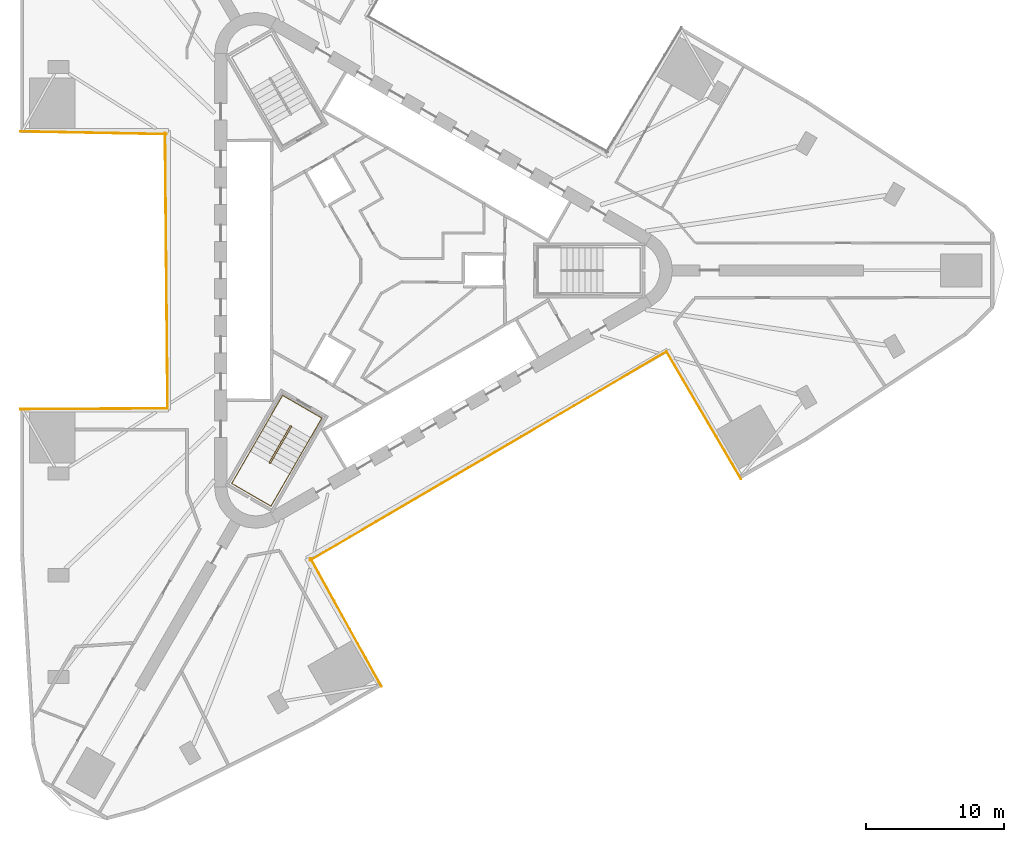
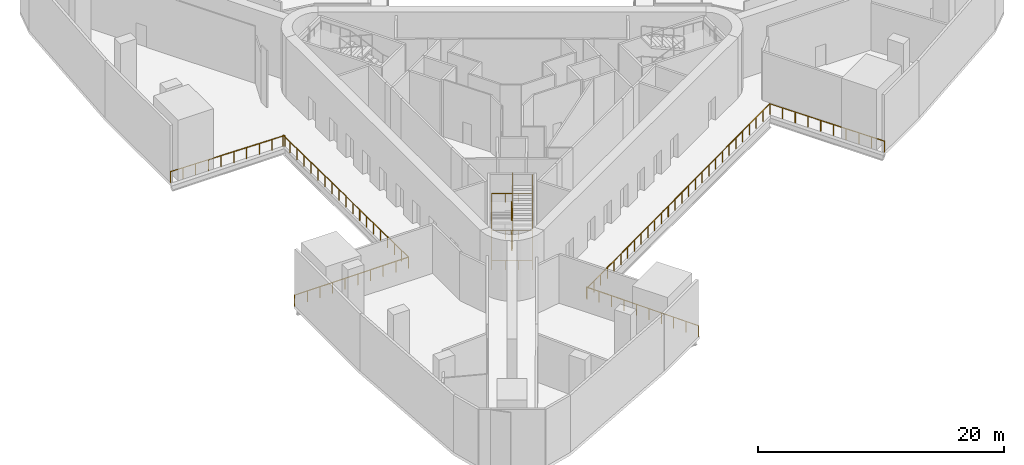
# One storey, part 9 of 11: 11 railings.
"""IFC4 building model written with IfcOpenShell, lengths in metres."""

from ifc_helpers import new_model, si_unit, direction, frame, origin, origin_2d, place, context, subcontext, project, spatial, circle, extrude, material, type_object, element, save


model = new_model("IFC4")

# Units and contexts
model_context = context("Model", 3, precision=1e-05, world=origin(), true_north=direction((0.0, 1.0)))
body_context = subcontext(model_context, "Body", "Model", "MODEL_VIEW")
ifc_project = project(units=[si_unit("LENGTHUNIT", "METRE"), si_unit("AREAUNIT", "SQUARE_METRE"), si_unit("VOLUMEUNIT", "CUBIC_METRE"), si_unit("PLANEANGLEUNIT", "RADIAN"), si_unit("MASSUNIT", "GRAM", prefix="KILO")], contexts=[model_context])

# Site, building, storey
site_placement = place(None, origin())
site = spatial("IfcSite", under=ifc_project, at=site_placement, CompositionType="ELEMENT")
building_placement = place(site_placement, origin())
building = spatial("IfcBuilding", under=site, at=building_placement, Name="Tanit Gate Tower", CompositionType="ELEMENT")
storey_placement = place(building_placement, frame((0.0, 0.0, 33.5)))
storey = spatial("IfcBuildingStorey", under=building, at=storey_placement, Name="L05", CompositionType="ELEMENT", Elevation=33.5)

# Railings
ifc_material_1 = material(Name="Stainless steel", Category="steel")
railing_type_1 = type_object("IfcRailingType", Name="Guard 1100 stainless steel balustrade", PredefinedType="GUARDRAIL", material=ifc_material_1)
railing_1_placement = place(storey_placement, frame((-5.103759765625, -20.9599609375, 0.0)))
element("IfcRailing", 1, at=railing_1_placement, inside=storey, type_object=railing_type_1, Name="Tunnel edge guard L05 1", PredefinedType="GUARDRAIL", context=body_context, shape_type="SweptSolid", body=[
    extrude(circle(Radius=0.02392578125, at=origin_2d()), frame((0.0, 0.0, 1.076171875), z_axis=(0.483623614037, -0.875276070703, 0.0), x_axis=(0.875276070703, 0.483623614037, 0.0)), (0.0, 0.0, 1.0), 10.63134765625),
    extrude(circle(Radius=0.02099609375, at=origin_2d()), origin(), (0.0, 0.0, 1.0), 1.052001953125),
    extrude(circle(Radius=0.02099609375, at=origin_2d()), frame((0.5712890625, -1.033935546875, 0.0)), (0.0, 0.0, 1.0), 1.052001953125),
    extrude(circle(Radius=0.02099609375, at=origin_2d()), frame((1.142578125, -2.06787109375, 0.0)), (0.0, 0.0, 1.0), 1.052001953125),
    extrude(circle(Radius=0.02099609375, at=origin_2d()), frame((1.7138671875, -3.101806640625, 0.0)), (0.0, 0.0, 1.0), 1.052001953125),
    extrude(circle(Radius=0.02099609375, at=origin_2d()), frame((2.28515625, -4.1357421875, 0.0)), (0.0, 0.0, 1.0), 1.052001953125),
    extrude(circle(Radius=0.02099609375, at=origin_2d()), frame((2.8564453125, -5.169677734375, 0.0)), (0.0, 0.0, 1.0), 1.052001953125),
    extrude(circle(Radius=0.02099609375, at=origin_2d()), frame((3.427734375, -6.20361328125, 0.0)), (0.0, 0.0, 1.0), 1.052001953125),
    extrude(circle(Radius=0.02099609375, at=origin_2d()), frame((3.9990234375, -7.237548828125, 0.0)), (0.0, 0.0, 1.0), 1.052001953125),
    extrude(circle(Radius=0.02099609375, at=origin_2d()), frame((4.5703125, -8.271484375, 0.0)), (0.0, 0.0, 1.0), 1.052001953125),
    extrude(circle(Radius=0.02099609375, at=origin_2d()), frame((5.1416015625, -9.305419921875, 0.0)), (0.0, 0.0, 1.0), 1.052001953125),
])
railing_2_placement = place(storey_placement, frame((26.190673828125, -15.16357421875, 0.0)))
element("IfcRailing", 2, at=railing_2_placement, inside=storey, type_object=railing_type_1, Name="Tunnel edge guard L05 2", PredefinedType="GUARDRAIL", context=body_context, shape_type="SweptSolid", body=[
    extrude(circle(Radius=0.02392578125, at=origin_2d()), frame((0.0, 0.0, 1.076171875), z_axis=(-0.50536532766, 0.862905490537, 0.0), x_axis=(-0.862905490537, -0.50536532766, 0.0)), (0.0, 0.0, 1.0), 10.721923828125),
    extrude(circle(Radius=0.02099609375, at=origin_2d()), origin(), (0.0, 0.0, 1.0), 1.052001953125),
    extrude(circle(Radius=0.02099609375, at=origin_2d()), frame((-0.60205078125, 1.028076171875, 0.0)), (0.0, 0.0, 1.0), 1.052001953125),
    extrude(circle(Radius=0.02099609375, at=origin_2d()), frame((-1.2041015625, 2.055908203125, 0.0)), (0.0, 0.0, 1.0), 1.052001953125),
    extrude(circle(Radius=0.02099609375, at=origin_2d()), frame((-1.80615234375, 3.083984375, 0.0)), (0.0, 0.0, 1.0), 1.052001953125),
    extrude(circle(Radius=0.02099609375, at=origin_2d()), frame((-2.408203125, 4.112060546875, 0.0)), (0.0, 0.0, 1.0), 1.052001953125),
    extrude(circle(Radius=0.02099609375, at=origin_2d()), frame((-3.01025390625, 5.139892578125, 0.0)), (0.0, 0.0, 1.0), 1.052001953125),
    extrude(circle(Radius=0.02099609375, at=origin_2d()), frame((-3.6123046875, 6.16796875, 0.0)), (0.0, 0.0, 1.0), 1.052001953125),
    extrude(circle(Radius=0.02099609375, at=origin_2d()), frame((-4.21435546875, 7.196044921875, 0.0)), (0.0, 0.0, 1.0), 1.052001953125),
    extrude(circle(Radius=0.02099609375, at=origin_2d()), frame((-4.81640625, 8.223876953125, 0.0)), (0.0, 0.0, 1.0), 1.052001953125),
    extrude(circle(Radius=0.02099609375, at=origin_2d()), frame((-5.41845703125, 9.251953125, 0.0)), (0.0, 0.0, 1.0), 1.052001953125),
])
railing_3_placement = place(storey_placement, frame((20.772216796875, -5.91162109375, 0.0)))
element("IfcRailing", 3, at=railing_3_placement, inside=storey, type_object=railing_type_1, Name="Tunnel edge guard L05 2", PredefinedType="GUARDRAIL", context=body_context, shape_type="SweptSolid", body=[
    extrude(circle(Radius=0.02392578125, at=origin_2d()), frame((0.0, 0.0, 1.076171875), z_axis=(-0.862766200983, -0.505603087848, 0.0), x_axis=(0.505603087848, -0.862766200983, 0.0)), (0.0, 0.0, 1.0), 10.01123046875),
    extrude(circle(Radius=0.02099609375, at=origin_2d()), origin(), (0.0, 0.0, 1.0), 1.052001953125),
    extrude(circle(Radius=0.02099609375, at=origin_2d()), frame((-0.959716796875, -0.5625, 0.0)), (0.0, 0.0, 1.0), 1.052001953125),
    extrude(circle(Radius=0.02099609375, at=origin_2d()), frame((-1.91943359375, -1.124755859375, 0.0)), (0.0, 0.0, 1.0), 1.052001953125),
    extrude(circle(Radius=0.02099609375, at=origin_2d()), frame((-2.879150390625, -1.687255859375, 0.0)), (0.0, 0.0, 1.0), 1.052001953125),
    extrude(circle(Radius=0.02099609375, at=origin_2d()), frame((-3.8388671875, -2.249755859375, 0.0)), (0.0, 0.0, 1.0), 1.052001953125),
    extrude(circle(Radius=0.02099609375, at=origin_2d()), frame((-4.798583984375, -2.81201171875, 0.0)), (0.0, 0.0, 1.0), 1.052001953125),
    extrude(circle(Radius=0.02099609375, at=origin_2d()), frame((-5.75830078125, -3.37451171875, 0.0)), (0.0, 0.0, 1.0), 1.052001953125),
    extrude(circle(Radius=0.02099609375, at=origin_2d()), frame((-6.718017578125, -3.93701171875, 0.0)), (0.0, 0.0, 1.0), 1.052001953125),
    extrude(circle(Radius=0.02099609375, at=origin_2d()), frame((-7.677734375, -4.499267578125, 0.0)), (0.0, 0.0, 1.0), 1.052001953125),
    extrude(circle(Radius=0.02099609375, at=origin_2d()), frame((-8.637451171875, -5.061767578125, 0.0)), (0.0, 0.0, 1.0), 1.052001953125),
])
railing_4_placement = place(storey_placement, frame((12.134765625, -10.973388671875, 0.0)))
element("IfcRailing", 4, at=railing_4_placement, inside=storey, type_object=railing_type_1, Name="Tunnel edge guard L05 2", PredefinedType="GUARDRAIL", context=body_context, shape_type="SweptSolid", body=[
    extrude(circle(Radius=0.02392578125, at=origin_2d()), frame((0.0, 0.0, 1.076171875), z_axis=(-0.862783072124, -0.505574297662, 0.0), x_axis=(0.505574297662, -0.862783072124, 0.0)), (0.0, 0.0, 1.0), 10.011474609375),
    extrude(circle(Radius=0.02099609375, at=origin_2d()), origin(), (0.0, 0.0, 1.0), 1.052001953125),
    extrude(circle(Radius=0.02099609375, at=origin_2d()), frame((-0.959716796875, -0.5625, 0.0)), (0.0, 0.0, 1.0), 1.052001953125),
    extrude(circle(Radius=0.02099609375, at=origin_2d()), frame((-1.91943359375, -1.124755859375, 0.0)), (0.0, 0.0, 1.0), 1.052001953125),
    extrude(circle(Radius=0.02099609375, at=origin_2d()), frame((-2.879150390625, -1.687255859375, 0.0)), (0.0, 0.0, 1.0), 1.052001953125),
    extrude(circle(Radius=0.02099609375, at=origin_2d()), frame((-3.8388671875, -2.24951171875, 0.0)), (0.0, 0.0, 1.0), 1.052001953125),
    extrude(circle(Radius=0.02099609375, at=origin_2d()), frame((-4.798828125, -2.81201171875, 0.0)), (0.0, 0.0, 1.0), 1.052001953125),
    extrude(circle(Radius=0.02099609375, at=origin_2d()), frame((-5.758544921875, -3.374267578125, 0.0)), (0.0, 0.0, 1.0), 1.052001953125),
    extrude(circle(Radius=0.02099609375, at=origin_2d()), frame((-6.71826171875, -3.936767578125, 0.0)), (0.0, 0.0, 1.0), 1.052001953125),
    extrude(circle(Radius=0.02099609375, at=origin_2d()), frame((-7.677978515625, -4.4990234375, 0.0)), (0.0, 0.0, 1.0), 1.052001953125),
    extrude(circle(Radius=0.02099609375, at=origin_2d()), frame((-8.6376953125, -5.0615234375, 0.0)), (0.0, 0.0, 1.0), 1.052001953125),
])
railing_5_placement = place(storey_placement, frame((3.4970703125, -16.034912109375, 0.0)))
element("IfcRailing", 5, at=railing_5_placement, inside=storey, type_object=railing_type_1, Name="Tunnel edge guard L05 2", PredefinedType="GUARDRAIL", context=body_context, shape_type="SweptSolid", body=[
    extrude(circle(Radius=0.02392578125, at=origin_2d()), frame((0.0, 0.0, 1.076171875), z_axis=(-0.862766200983, -0.505603087848, 0.0), x_axis=(0.505603087848, -0.862766200983, 0.0)), (0.0, 0.0, 1.0), 10.01123046875),
    extrude(circle(Radius=0.02099609375, at=origin_2d()), origin(), (0.0, 0.0, 1.0), 1.052001953125),
    extrude(circle(Radius=0.02099609375, at=origin_2d()), frame((-0.959716796875, -0.5625, 0.0)), (0.0, 0.0, 1.0), 1.052001953125),
    extrude(circle(Radius=0.02099609375, at=origin_2d()), frame((-1.91943359375, -1.124755859375, 0.0)), (0.0, 0.0, 1.0), 1.052001953125),
    extrude(circle(Radius=0.02099609375, at=origin_2d()), frame((-2.879150390625, -1.687255859375, 0.0)), (0.0, 0.0, 1.0), 1.052001953125),
    extrude(circle(Radius=0.02099609375, at=origin_2d()), frame((-3.8388671875, -2.249755859375, 0.0)), (0.0, 0.0, 1.0), 1.052001953125),
    extrude(circle(Radius=0.02099609375, at=origin_2d()), frame((-4.798583984375, -2.81201171875, 0.0)), (0.0, 0.0, 1.0), 1.052001953125),
    extrude(circle(Radius=0.02099609375, at=origin_2d()), frame((-5.75830078125, -3.37451171875, 0.0)), (0.0, 0.0, 1.0), 1.052001953125),
    extrude(circle(Radius=0.02099609375, at=origin_2d()), frame((-6.718017578125, -3.93701171875, 0.0)), (0.0, 0.0, 1.0), 1.052001953125),
    extrude(circle(Radius=0.02099609375, at=origin_2d()), frame((-7.677734375, -4.499267578125, 0.0)), (0.0, 0.0, 1.0), 1.052001953125),
    extrude(circle(Radius=0.02099609375, at=origin_2d()), frame((-8.637451171875, -5.061767578125, 0.0)), (0.0, 0.0, 1.0), 1.052001953125),
])
railing_6_placement = place(storey_placement, frame((-15.60009765625, 9.89990234375, 0.0)))
element("IfcRailing", 6, at=railing_6_placement, inside=storey, type_object=railing_type_1, Name="Tunnel edge guard L05 3", PredefinedType="GUARDRAIL", context=body_context, shape_type="SweptSolid", body=[
    extrude(circle(Radius=0.02392578125, at=origin_2d()), frame((0.0, 0.0, 1.076171875), z_axis=(-0.99982266881, 0.018831647106, 0.0), x_axis=(-0.018831647106, -0.99982266881, 0.0)), (0.0, 0.0, 1.0), 10.630859375),
    extrude(circle(Radius=0.02099609375, at=origin_2d()), origin(), (0.0, 0.0, 1.0), 1.052001953125),
    extrude(circle(Radius=0.02099609375, at=origin_2d()), frame((-1.180908203125, 0.022216796875, 0.0)), (0.0, 0.0, 1.0), 1.052001953125),
    extrude(circle(Radius=0.02099609375, at=origin_2d()), frame((-2.362060546875, 0.04443359375, 0.0)), (0.0, 0.0, 1.0), 1.052001953125),
    extrude(circle(Radius=0.02099609375, at=origin_2d()), frame((-3.54296875, 0.066650390625, 0.0)), (0.0, 0.0, 1.0), 1.052001953125),
    extrude(circle(Radius=0.02099609375, at=origin_2d()), frame((-4.723876953125, 0.0888671875, 0.0)), (0.0, 0.0, 1.0), 1.052001953125),
    extrude(circle(Radius=0.02099609375, at=origin_2d()), frame((-5.905029296875, 0.111328125, 0.0)), (0.0, 0.0, 1.0), 1.052001953125),
    extrude(circle(Radius=0.02099609375, at=origin_2d()), frame((-7.0859375, 0.133544921875, 0.0)), (0.0, 0.0, 1.0), 1.052001953125),
    extrude(circle(Radius=0.02099609375, at=origin_2d()), frame((-8.266845703125, 0.15576171875, 0.0)), (0.0, 0.0, 1.0), 1.052001953125),
    extrude(circle(Radius=0.02099609375, at=origin_2d()), frame((-9.447998046875, 0.177978515625, 0.0)), (0.0, 0.0, 1.0), 1.052001953125),
    extrude(circle(Radius=0.02099609375, at=origin_2d()), frame((-10.62890625, 0.2001953125, 0.0)), (0.0, 0.0, 1.0), 1.052001953125),
])
railing_7_placement = place(storey_placement, frame((-26.227783203125, -10.10009765625, 0.0)))
element("IfcRailing", 7, at=railing_7_placement, inside=storey, type_object=railing_type_1, Name="Tunnel edge guard L05 4", PredefinedType="GUARDRAIL", context=body_context, shape_type="SweptSolid", body=[
    extrude(circle(Radius=0.02392578125, at=origin_2d()), frame((0.0, 0.0, 1.076171875), z_axis=(0.999987666554, 0.004966562124, 0.0), x_axis=(-0.004966562124, 0.999987666554, 0.0)), (0.0, 0.0, 1.0), 10.71630859375),
    extrude(circle(Radius=0.02099609375, at=origin_2d()), origin(), (0.0, 0.0, 1.0), 1.052001953125),
    extrude(circle(Radius=0.02099609375, at=origin_2d()), frame((1.190673828125, 0.005859375, 0.0)), (0.0, 0.0, 1.0), 1.052001953125),
    extrude(circle(Radius=0.02099609375, at=origin_2d()), frame((2.38134765625, 0.01171875, 0.0)), (0.0, 0.0, 1.0), 1.052001953125),
    extrude(circle(Radius=0.02099609375, at=origin_2d()), frame((3.572021484375, 0.017822265625, 0.0)), (0.0, 0.0, 1.0), 1.052001953125),
    extrude(circle(Radius=0.02099609375, at=origin_2d()), frame((4.7626953125, 0.023681640625, 0.0)), (0.0, 0.0, 1.0), 1.052001953125),
    extrude(circle(Radius=0.02099609375, at=origin_2d()), frame((5.953369140625, 0.029541015625, 0.0)), (0.0, 0.0, 1.0), 1.052001953125),
    extrude(circle(Radius=0.02099609375, at=origin_2d()), frame((7.14404296875, 0.035400390625, 0.0)), (0.0, 0.0, 1.0), 1.052001953125),
    extrude(circle(Radius=0.02099609375, at=origin_2d()), frame((8.334716796875, 0.04150390625, 0.0)), (0.0, 0.0, 1.0), 1.052001953125),
    extrude(circle(Radius=0.02099609375, at=origin_2d()), frame((9.525390625, 0.04736328125, 0.0)), (0.0, 0.0, 1.0), 1.052001953125),
    extrude(circle(Radius=0.02099609375, at=origin_2d()), frame((10.716064453125, 0.05322265625, 0.0)), (0.0, 0.0, 1.0), 1.052001953125),
])
railing_8_placement = place(storey_placement, frame((-15.51171875, -10.046875, 0.0)))
element("IfcRailing", 8, at=railing_8_placement, inside=storey, type_object=railing_type_1, Name="Tunnel edge guard L05 4", PredefinedType="GUARDRAIL", context=body_context, shape_type="SweptSolid", body=[
    extrude(circle(Radius=0.02392578125, at=origin_2d()), frame((0.0, 0.0, 1.076171875), z_axis=(-0.009401377171, 0.999955806077, 0.0), x_axis=(-0.999955806077, -0.009401377171, 0.0)), (0.0, 0.0, 1.0), 10.02392578125),
    extrude(circle(Radius=0.02099609375, at=origin_2d()), origin(), (0.0, 0.0, 1.0), 1.052001953125),
    extrude(circle(Radius=0.02099609375, at=origin_2d()), frame((-0.010498046875, 1.11376953125, 0.0)), (0.0, 0.0, 1.0), 1.052001953125),
    extrude(circle(Radius=0.02099609375, at=origin_2d()), frame((-0.02099609375, 2.2275390625, 0.0)), (0.0, 0.0, 1.0), 1.052001953125),
    extrude(circle(Radius=0.02099609375, at=origin_2d()), frame((-0.031494140625, 3.341064453125, 0.0)), (0.0, 0.0, 1.0), 1.052001953125),
    extrude(circle(Radius=0.02099609375, at=origin_2d()), frame((-0.0419921875, 4.454833984375, 0.0)), (0.0, 0.0, 1.0), 1.052001953125),
    extrude(circle(Radius=0.02099609375, at=origin_2d()), frame((-0.05224609375, 5.568603515625, 0.0)), (0.0, 0.0, 1.0), 1.052001953125),
    extrude(circle(Radius=0.02099609375, at=origin_2d()), frame((-0.062744140625, 6.682373046875, 0.0)), (0.0, 0.0, 1.0), 1.052001953125),
    extrude(circle(Radius=0.02099609375, at=origin_2d()), frame((-0.0732421875, 7.7958984375, 0.0)), (0.0, 0.0, 1.0), 1.052001953125),
    extrude(circle(Radius=0.02099609375, at=origin_2d()), frame((-0.083740234375, 8.90966796875, 0.0)), (0.0, 0.0, 1.0), 1.052001953125),
    extrude(circle(Radius=0.02099609375, at=origin_2d()), frame((-0.09423828125, 10.0234375, 0.0)), (0.0, 0.0, 1.0), 1.052001953125),
])
railing_9_placement = place(storey_placement, frame((-15.60595703125, -0.0234375, 0.0)))
element("IfcRailing", 9, at=railing_9_placement, inside=storey, type_object=railing_type_1, Name="Tunnel edge guard L05 4", PredefinedType="GUARDRAIL", context=body_context, shape_type="SweptSolid", body=[
    extrude(circle(Radius=0.02392578125, at=origin_2d()), frame((0.0, 0.0, 1.076171875), z_axis=(-0.009377023416, 0.999956034749, 0.0), x_axis=(-0.999956034749, -0.009377023416, 0.0)), (0.0, 0.0, 1.0), 10.02392578125),
    extrude(circle(Radius=0.02099609375, at=origin_2d()), origin(), (0.0, 0.0, 1.0), 1.052001953125),
    extrude(circle(Radius=0.02099609375, at=origin_2d()), frame((-0.010498046875, 1.11376953125, 0.0)), (0.0, 0.0, 1.0), 1.052001953125),
    extrude(circle(Radius=0.02099609375, at=origin_2d()), frame((-0.02099609375, 2.2275390625, 0.0)), (0.0, 0.0, 1.0), 1.052001953125),
    extrude(circle(Radius=0.02099609375, at=origin_2d()), frame((-0.03125, 3.341064453125, 0.0)), (0.0, 0.0, 1.0), 1.052001953125),
    extrude(circle(Radius=0.02099609375, at=origin_2d()), frame((-0.041748046875, 4.454833984375, 0.0)), (0.0, 0.0, 1.0), 1.052001953125),
    extrude(circle(Radius=0.02099609375, at=origin_2d()), frame((-0.05224609375, 5.568603515625, 0.0)), (0.0, 0.0, 1.0), 1.052001953125),
    extrude(circle(Radius=0.02099609375, at=origin_2d()), frame((-0.062744140625, 6.682373046875, 0.0)), (0.0, 0.0, 1.0), 1.052001953125),
    extrude(circle(Radius=0.02099609375, at=origin_2d()), frame((-0.072998046875, 7.7958984375, 0.0)), (0.0, 0.0, 1.0), 1.052001953125),
    extrude(circle(Radius=0.02099609375, at=origin_2d()), frame((-0.08349609375, 8.90966796875, 0.0)), (0.0, 0.0, 1.0), 1.052001953125),
    extrude(circle(Radius=0.02099609375, at=origin_2d()), frame((-0.093994140625, 10.0234375, 0.0)), (0.0, 0.0, 1.0), 1.052001953125),
])
ifc_material_2 = material(Name="Stainless steel balustrade", Category="steel")
railing_type_2 = type_object("IfcRailingType", Name="INT-STAIR-GUARD", PredefinedType="GUARDRAIL", material=ifc_material_2)
railing_10_placement = place(storey_placement, frame((-6.51806640625, -11.2998046875, 0.0)))
element("IfcRailing", 10, at=railing_10_placement, inside=storey, type_object=railing_type_2, Name="L05 S3 stair guard 1", PredefinedType="GUARDRAIL", context=body_context, shape_type="SweptSolid", body=[
    extrude(circle(Radius=0.02392578125, at=origin_2d()), frame((0.0, 0.0, 1.076171875), z_axis=(-0.874157276122, 0.485642931179, 0.0), x_axis=(-0.485642931179, -0.874157276122, 0.0)), (0.0, 0.0, 1.0), 0.010009765625),
    extrude(circle(Radius=0.02392578125, at=origin_2d()), frame((-0.0087890625, 0.0048828125, 1.076171875), z_axis=(-0.34113380443, -0.090156791171, 0.935681292151), x_axis=(0.255512919477, -0.966805641264, 0.0)), (0.0, 0.0, 1.0), 0.200439453125),
    extrude(circle(Radius=0.02392578125, at=origin_2d()), frame((-0.0771484375, -0.01318359375, 1.263671875), z_axis=(-0.459267510171, -0.795558940874, 0.395169995947), x_axis=(0.866048339477, -0.499960272111, 0.0)), (0.0, 0.0, 1.0), 3.3212890625),
    extrude(circle(Radius=0.02392578125, at=origin_2d()), frame((-1.6025390625, -2.655517578125, 2.576171875), z_axis=(0.258736085224, -0.965948051503, 0.0), x_axis=(0.965948051503, 0.258736085224, 0.0)), (0.0, 0.0, 1.0), 0.07080078125),
    extrude(circle(Radius=0.02392578125, at=origin_2d()), frame((-1.584228515625, -2.723876953125, 2.576171875), z_axis=(0.868243142124, -0.496138938357, 0.0), x_axis=(0.496138938357, 0.868243142124, 0.0)), (0.0, 0.0, 1.0), 0.009765625),
    extrude(circle(Radius=0.02392578125, at=origin_2d()), frame((-1.57568359375, -2.728759765625, 2.576171875), z_axis=(0.341096086969, 0.091365023295, 0.935577838543), x_axis=(-0.258736085224, 0.965948051503, 0.0)), (0.0, 0.0, 1.0), 0.200439453125),
    extrude(circle(Radius=0.02392578125, at=origin_2d()), frame((-1.50732421875, -2.71044921875, 2.763671875), z_axis=(0.459352369135, 0.79550509502, 0.395179762597), x_axis=(-0.865993683553, 0.500054937028, 0.0)), (0.0, 0.0, 1.0), 3.3212890625),
    extrude(circle(Radius=0.02392578125, at=origin_2d()), frame((0.018310546875, -0.068359375, 4.076171875), z_axis=(-0.258736085224, 0.965948051503, 0.0), x_axis=(-0.965948051503, -0.258736085224, 0.0)), (0.0, 0.0, 1.0), 0.07080078125),
    extrude(circle(Radius=0.02392578125, at=origin_2d()), frame((0.0, 0.0, 4.076171875), z_axis=(-0.874157276122, 0.485642931179, 0.0), x_axis=(-0.485642931179, -0.874157276122, 0.0)), (0.0, 0.0, 1.0), 0.010009765625),
    extrude(circle(Radius=0.02392578125, at=origin_2d()), frame((-0.0087890625, 0.0048828125, 4.076171875), z_axis=(-0.34113380443, -0.090156791171, 0.935681292151), x_axis=(0.255512919477, -0.966805641264, 0.0)), (0.0, 0.0, 1.0), 0.200439453125),
    extrude(circle(Radius=0.02392578125, at=origin_2d()), frame((-0.0771484375, -0.01318359375, 4.263671875), z_axis=(-0.459267510171, -0.795558940874, 0.395169995947), x_axis=(0.866048339477, -0.499960272111, 0.0)), (0.0, 0.0, 1.0), 3.3212890625),
    extrude(circle(Radius=0.02392578125, at=origin_2d()), frame((-1.6025390625, -2.655517578125, 5.576171875), z_axis=(0.258736085224, -0.965948051503, 0.0), x_axis=(0.965948051503, 0.258736085224, 0.0)), (0.0, 0.0, 1.0), 0.07080078125),
    extrude(circle(Radius=0.02392578125, at=origin_2d()), frame((-1.584228515625, -2.723876953125, 5.576171875), z_axis=(0.868243142124, -0.496138938357, 0.0), x_axis=(0.496138938357, 0.868243142124, 0.0)), (0.0, 0.0, 1.0), 0.009765625),
    extrude(circle(Radius=0.02392578125, at=origin_2d()), frame((-1.57568359375, -2.728759765625, 5.576171875), z_axis=(0.341096086969, 0.091365023295, 0.935577838543), x_axis=(-0.258736085224, 0.965948051503, 0.0)), (0.0, 0.0, 1.0), 0.200439453125),
    extrude(circle(Radius=0.02392578125, at=origin_2d()), frame((-1.50732421875, -2.71044921875, 5.763671875), z_axis=(0.459352369135, 0.79550509502, 0.395179762597), x_axis=(-0.865993683553, 0.500054937028, 0.0)), (0.0, 0.0, 1.0), 3.3212890625),
    extrude(circle(Radius=0.02099609375, at=origin_2d()), origin(), (0.0, 0.0, 1.0), 1.052001953125),
    extrude(circle(Radius=0.02099609375, at=origin_2d()), frame((-0.0087890625, 0.0048828125, 0.0)), (0.0, 0.0, 1.0), 1.052001953125),
    extrude(circle(Radius=0.02099609375, at=origin_2d()), frame((-0.0771484375, -0.01318359375, 0.1875)), (0.0, 0.0, 1.0), 1.052001953125),
    extrude(circle(Radius=0.02099609375, at=origin_2d()), frame((-0.585693359375, -0.89404296875, 0.625)), (0.0, 0.0, 1.0), 1.052001953125),
    extrude(circle(Radius=0.02099609375, at=origin_2d()), frame((-1.093994140625, -1.774658203125, 1.0625)), (0.0, 0.0, 1.0), 1.052001953125),
    extrude(circle(Radius=0.02099609375, at=origin_2d()), frame((-1.6025390625, -2.655517578125, 1.5)), (0.0, 0.0, 1.0), 1.052001953125),
    extrude(circle(Radius=0.02099609375, at=origin_2d()), frame((-1.584228515625, -2.723876953125, 1.5)), (0.0, 0.0, 1.0), 1.052001953125),
    extrude(circle(Radius=0.02099609375, at=origin_2d()), frame((-1.57568359375, -2.728759765625, 1.5)), (0.0, 0.0, 1.0), 1.052001953125),
    extrude(circle(Radius=0.02099609375, at=origin_2d()), frame((-1.50732421875, -2.71044921875, 1.6875)), (0.0, 0.0, 1.0), 1.052001953125),
    extrude(circle(Radius=0.02099609375, at=origin_2d()), frame((-0.998779296875, -1.829833984375, 2.125)), (0.0, 0.0, 1.0), 1.052001953125),
    extrude(circle(Radius=0.02099609375, at=origin_2d()), frame((-0.490234375, -0.948974609375, 2.5625)), (0.0, 0.0, 1.0), 1.052001953125),
    extrude(circle(Radius=0.02099609375, at=origin_2d()), frame((0.018310546875, -0.068359375, 3.0)), (0.0, 0.0, 1.0), 1.052001953125),
    extrude(circle(Radius=0.02099609375, at=origin_2d()), frame((0.0, 0.0, 3.0)), (0.0, 0.0, 1.0), 1.052001953125),
    extrude(circle(Radius=0.02099609375, at=origin_2d()), frame((-0.0087890625, 0.0048828125, 3.0)), (0.0, 0.0, 1.0), 1.052001953125),
    extrude(circle(Radius=0.02099609375, at=origin_2d()), frame((-0.0771484375, -0.01318359375, 3.1875)), (0.0, 0.0, 1.0), 1.052001953125),
    extrude(circle(Radius=0.02099609375, at=origin_2d()), frame((-0.585693359375, -0.89404296875, 3.625)), (0.0, 0.0, 1.0), 1.052001953125),
    extrude(circle(Radius=0.02099609375, at=origin_2d()), frame((-1.093994140625, -1.774658203125, 4.0625)), (0.0, 0.0, 1.0), 1.052001953125),
    extrude(circle(Radius=0.02099609375, at=origin_2d()), frame((-1.6025390625, -2.655517578125, 4.5)), (0.0, 0.0, 1.0), 1.052001953125),
    extrude(circle(Radius=0.02099609375, at=origin_2d()), frame((-1.584228515625, -2.723876953125, 4.5)), (0.0, 0.0, 1.0), 1.052001953125),
    extrude(circle(Radius=0.02099609375, at=origin_2d()), frame((-1.57568359375, -2.728759765625, 4.5)), (0.0, 0.0, 1.0), 1.052001953125),
    extrude(circle(Radius=0.02099609375, at=origin_2d()), frame((-1.50732421875, -2.71044921875, 4.6875)), (0.0, 0.0, 1.0), 1.052001953125),
    extrude(circle(Radius=0.02099609375, at=origin_2d()), frame((-0.998779296875, -1.829833984375, 5.125)), (0.0, 0.0, 1.0), 1.052001953125),
    extrude(circle(Radius=0.02099609375, at=origin_2d()), frame((-0.490234375, -0.948974609375, 5.5625)), (0.0, 0.0, 1.0), 1.052001953125),
    extrude(circle(Radius=0.02099609375, at=origin_2d()), frame((0.018310546875, -0.068359375, 6.0)), (0.0, 0.0, 1.0), 1.052001953125),
])
ifc_material_3 = material(Name="Stainless steel handrail", Category="steel")
railing_type_3 = type_object("IfcRailingType", Name="INT-STAIR-HANDRAIL", PredefinedType="HANDRAIL", material=ifc_material_3)
railing_11_placement = place(storey_placement, frame((-7.9765625, -10.515625, 0.1875)))
element("IfcRailing", 11, at=railing_11_placement, inside=storey, type_object=railing_type_3, Name="L05 S3 stair handrail 1", PredefinedType="HANDRAIL", context=body_context, shape_type="SweptSolid", body=[
    extrude(circle(Radius=0.02392578125, at=origin_2d()), frame((0.0, 0.0, 0.8759765625), z_axis=(-0.459267510171, -0.795558940874, 0.395169995947), x_axis=(0.866048339477, -0.499960272111, 0.0)), (0.0, 0.0, 1.0), 3.3212890625),
    extrude(circle(Radius=0.02392578125, at=origin_2d()), frame((-1.525390625, -2.642333984375, 2.1884765625), z_axis=(-0.50004290449, -0.866000631449, 0.0), x_axis=(0.866000631449, -0.50004290449, 0.0)), (0.0, 0.0, 1.0), 2.703857421875),
    extrude(circle(Radius=0.02392578125, at=origin_2d()), frame((-2.87744140625, -4.98388671875, 2.1884765625), z_axis=(0.866008176907, -0.50002983664, 0.0), x_axis=(0.50002983664, 0.866008176907, 0.0)), (0.0, 0.0, 1.0), 3.300048828125),
    extrude(circle(Radius=0.02392578125, at=origin_2d()), frame((-0.01953125, -6.634033203125, 2.1884765625), z_axis=(0.498806118336, 0.863948769787, 0.069173546205), x_axis=(-0.866023205937, 0.500003806764, 0.0)), (0.0, 0.0, 1.0), 2.710693359375),
    extrude(circle(Radius=0.02392578125, at=origin_2d()), frame((1.33251953125, -4.292236328125, 2.3759765625), z_axis=(0.459267510171, 0.795558940874, 0.395169995947), x_axis=(-0.866048339477, 0.499960272111, 0.0)), (0.0, 0.0, 1.0), 3.3212890625),
    extrude(circle(Radius=0.02392578125, at=origin_2d()), frame((2.85791015625, -1.64990234375, 3.6884765625), z_axis=(0.50001794124, 0.866015045157, 0.0), x_axis=(-0.866015045157, 0.50001794124, 0.0)), (0.0, 0.0, 1.0), 1.64501953125),
    extrude(circle(Radius=0.02392578125, at=origin_2d()), frame((3.680419921875, -0.225341796875, 3.6884765625), z_axis=(-0.866040211805, 0.499974350878, 0.0), x_axis=(-0.499974350878, -0.866040211805, 0.0)), (0.0, 0.0, 1.0), 3.300048828125),
    extrude(circle(Radius=0.02392578125, at=origin_2d()), frame((0.822509765625, 1.424560546875, 3.6884765625), z_axis=(-0.496801021229, -0.860443442824, 0.113251167796), x_axis=(0.866015045157, -0.50001794124, 0.0)), (0.0, 0.0, 1.0), 1.655517578125),
    extrude(circle(Radius=0.02392578125, at=origin_2d()), frame((0.0, 0.0, 3.8759765625), z_axis=(-0.459267510171, -0.795558940874, 0.395169995947), x_axis=(0.866048339477, -0.499960272111, 0.0)), (0.0, 0.0, 1.0), 3.3212890625),
    extrude(circle(Radius=0.02392578125, at=origin_2d()), frame((-1.525390625, -2.642333984375, 5.1884765625), z_axis=(-0.50004290449, -0.866000631449, 0.0), x_axis=(0.866000631449, -0.50004290449, 0.0)), (0.0, 0.0, 1.0), 2.703857421875),
    extrude(circle(Radius=0.02392578125, at=origin_2d()), frame((-2.87744140625, -4.98388671875, 5.1884765625), z_axis=(0.866008176907, -0.50002983664, 0.0), x_axis=(0.50002983664, 0.866008176907, 0.0)), (0.0, 0.0, 1.0), 3.300048828125),
    extrude(circle(Radius=0.02392578125, at=origin_2d()), frame((-0.01953125, -6.634033203125, 5.1884765625), z_axis=(0.498806118336, 0.863948769787, 0.069173546205), x_axis=(-0.866023205937, 0.500003806764, 0.0)), (0.0, 0.0, 1.0), 2.710693359375),
    extrude(circle(Radius=0.02392578125, at=origin_2d()), frame((1.33251953125, -4.292236328125, 5.3759765625), z_axis=(0.459267510171, 0.795558940874, 0.395169995947), x_axis=(-0.866048339477, 0.499960272111, 0.0)), (0.0, 0.0, 1.0), 3.3212890625),
    extrude(circle(Radius=0.02099609375, at=origin_2d()), origin(), (0.0, 0.0, 1.0), 0.851806640625),
    extrude(circle(Radius=0.02099609375, at=origin_2d()), frame((-0.508544921875, -0.880859375, 0.4375)), (0.0, 0.0, 1.0), 0.851806640625),
    extrude(circle(Radius=0.02099609375, at=origin_2d()), frame((-1.016845703125, -1.761474609375, 0.875)), (0.0, 0.0, 1.0), 0.851806640625),
    extrude(circle(Radius=0.02099609375, at=origin_2d()), frame((-1.525390625, -2.642333984375, 1.3125)), (0.0, 0.0, 1.0), 0.851806640625),
    extrude(circle(Radius=0.02099609375, at=origin_2d()), frame((-1.97607421875, -3.4228515625, 1.3125)), (0.0, 0.0, 1.0), 0.851806640625),
    extrude(circle(Radius=0.02099609375, at=origin_2d()), frame((-2.4267578125, -4.203369140625, 1.3125)), (0.0, 0.0, 1.0), 0.851806640625),
    extrude(circle(Radius=0.02099609375, at=origin_2d()), frame((-2.87744140625, -4.98388671875, 1.3125)), (0.0, 0.0, 1.0), 0.851806640625),
    extrude(circle(Radius=0.02099609375, at=origin_2d()), frame((-1.9248046875, -5.533935546875, 1.3125)), (0.0, 0.0, 1.0), 0.851806640625),
    extrude(circle(Radius=0.02099609375, at=origin_2d()), frame((-0.97216796875, -6.083984375, 1.3125)), (0.0, 0.0, 1.0), 0.851806640625),
    extrude(circle(Radius=0.02099609375, at=origin_2d()), frame((-0.01953125, -6.634033203125, 1.3125)), (0.0, 0.0, 1.0), 0.851806640625),
    extrude(circle(Radius=0.02099609375, at=origin_2d()), frame((0.43115234375, -5.853515625, 1.375)), (0.0, 0.0, 1.0), 0.851806640625),
    extrude(circle(Radius=0.02099609375, at=origin_2d()), frame((0.8818359375, -5.07275390625, 1.4375)), (0.0, 0.0, 1.0), 0.851806640625),
    extrude(circle(Radius=0.02099609375, at=origin_2d()), frame((1.33251953125, -4.292236328125, 1.5)), (0.0, 0.0, 1.0), 0.851806640625),
    extrude(circle(Radius=0.02099609375, at=origin_2d()), frame((1.841064453125, -3.411376953125, 1.9375)), (0.0, 0.0, 1.0), 0.851806640625),
    extrude(circle(Radius=0.02099609375, at=origin_2d()), frame((2.349365234375, -2.53076171875, 2.375)), (0.0, 0.0, 1.0), 0.851806640625),
    extrude(circle(Radius=0.02099609375, at=origin_2d()), frame((2.85791015625, -1.64990234375, 2.8125)), (0.0, 0.0, 1.0), 0.851806640625),
    extrude(circle(Radius=0.02099609375, at=origin_2d()), frame((3.26904296875, -0.9375, 2.8125)), (0.0, 0.0, 1.0), 0.851806640625),
    extrude(circle(Radius=0.02099609375, at=origin_2d()), frame((3.680419921875, -0.225341796875, 2.8125)), (0.0, 0.0, 1.0), 0.851806640625),
    extrude(circle(Radius=0.02099609375, at=origin_2d()), frame((2.727783203125, 0.32470703125, 2.8125)), (0.0, 0.0, 1.0), 0.851806640625),
    extrude(circle(Radius=0.02099609375, at=origin_2d()), frame((1.775146484375, 0.87451171875, 2.8125)), (0.0, 0.0, 1.0), 0.851806640625),
    extrude(circle(Radius=0.02099609375, at=origin_2d()), frame((0.822509765625, 1.424560546875, 2.8125)), (0.0, 0.0, 1.0), 0.851806640625),
    extrude(circle(Radius=0.02099609375, at=origin_2d()), frame((0.4111328125, 0.71240234375, 2.90625)), (0.0, 0.0, 1.0), 0.851806640625),
    extrude(circle(Radius=0.02099609375, at=origin_2d()), frame((0.0, 0.0, 3.0)), (0.0, 0.0, 1.0), 0.851806640625),
    extrude(circle(Radius=0.02099609375, at=origin_2d()), frame((-0.508544921875, -0.880859375, 3.4375)), (0.0, 0.0, 1.0), 0.851806640625),
    extrude(circle(Radius=0.02099609375, at=origin_2d()), frame((-1.016845703125, -1.761474609375, 3.875)), (0.0, 0.0, 1.0), 0.851806640625),
    extrude(circle(Radius=0.02099609375, at=origin_2d()), frame((-1.525390625, -2.642333984375, 4.3125)), (0.0, 0.0, 1.0), 0.851806640625),
    extrude(circle(Radius=0.02099609375, at=origin_2d()), frame((-1.97607421875, -3.4228515625, 4.3125)), (0.0, 0.0, 1.0), 0.851806640625),
    extrude(circle(Radius=0.02099609375, at=origin_2d()), frame((-2.4267578125, -4.203369140625, 4.3125)), (0.0, 0.0, 1.0), 0.851806640625),
    extrude(circle(Radius=0.02099609375, at=origin_2d()), frame((-2.87744140625, -4.98388671875, 4.3125)), (0.0, 0.0, 1.0), 0.851806640625),
    extrude(circle(Radius=0.02099609375, at=origin_2d()), frame((-1.9248046875, -5.533935546875, 4.3125)), (0.0, 0.0, 1.0), 0.851806640625),
    extrude(circle(Radius=0.02099609375, at=origin_2d()), frame((-0.97216796875, -6.083984375, 4.3125)), (0.0, 0.0, 1.0), 0.851806640625),
    extrude(circle(Radius=0.02099609375, at=origin_2d()), frame((-0.01953125, -6.634033203125, 4.3125)), (0.0, 0.0, 1.0), 0.851806640625),
    extrude(circle(Radius=0.02099609375, at=origin_2d()), frame((0.43115234375, -5.853515625, 4.375)), (0.0, 0.0, 1.0), 0.851806640625),
    extrude(circle(Radius=0.02099609375, at=origin_2d()), frame((0.8818359375, -5.07275390625, 4.4375)), (0.0, 0.0, 1.0), 0.851806640625),
    extrude(circle(Radius=0.02099609375, at=origin_2d()), frame((1.33251953125, -4.292236328125, 4.5)), (0.0, 0.0, 1.0), 0.851806640625),
    extrude(circle(Radius=0.02099609375, at=origin_2d()), frame((1.841064453125, -3.411376953125, 4.9375)), (0.0, 0.0, 1.0), 0.851806640625),
    extrude(circle(Radius=0.02099609375, at=origin_2d()), frame((2.349365234375, -2.53076171875, 5.375)), (0.0, 0.0, 1.0), 0.851806640625),
    extrude(circle(Radius=0.02099609375, at=origin_2d()), frame((2.85791015625, -1.64990234375, 5.8125)), (0.0, 0.0, 1.0), 0.851806640625),
])

save(model, "model.ifc")
